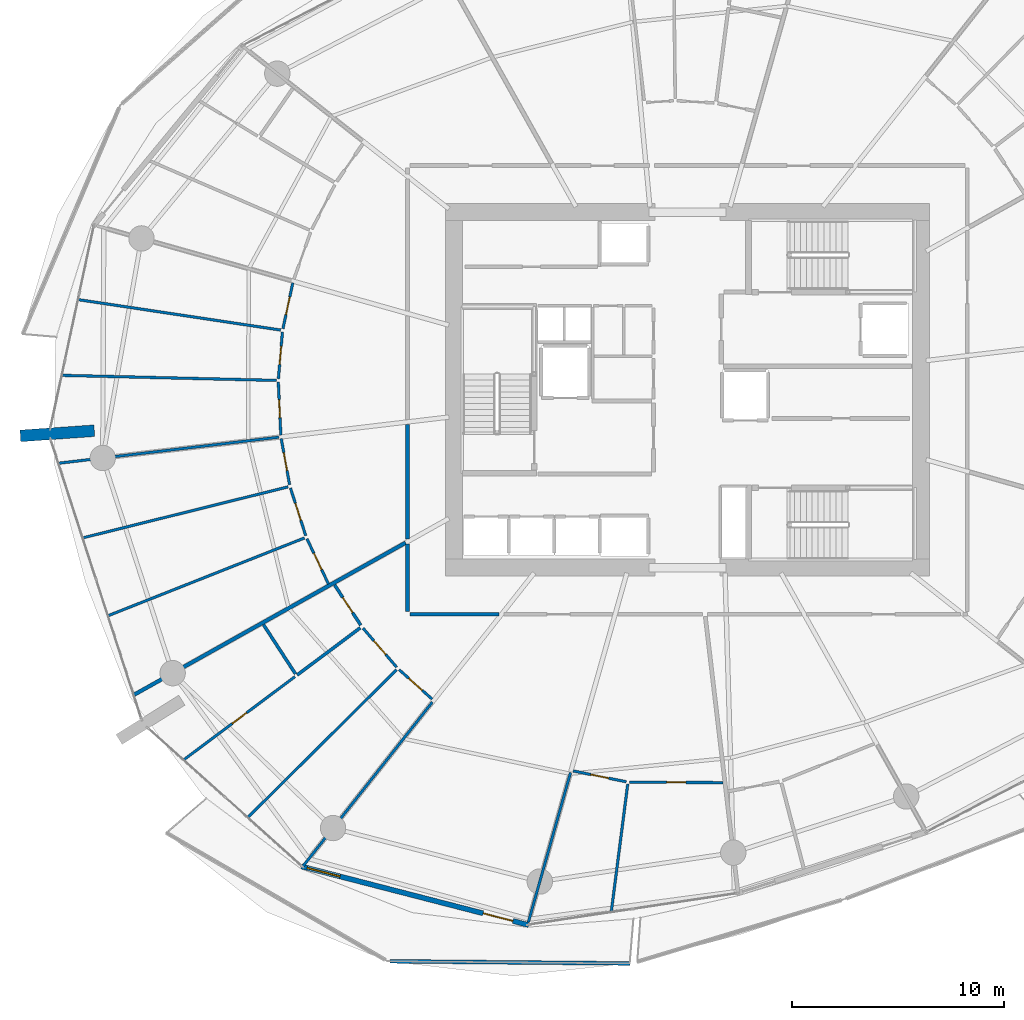
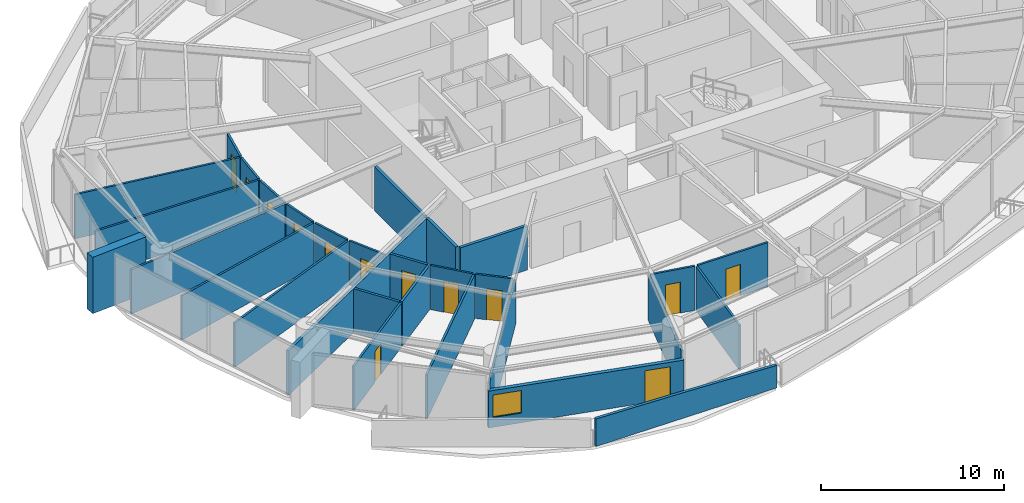
# One storey, part 11 of 23: 30 walls, 13 doors, 1 window, 14 openings.
"""IFC4 building model written with IfcOpenShell, lengths in metres."""

from ifc_helpers import new_model, si_unit, direction, frame, frame_2d, origin, place, context, subcontext, project, spatial, polyline, rectangle, outline, extrude, material, layer, layer_set, type_object, element, fill, save


model = new_model("IFC4")

# Units and contexts
model_context = context("Model", 3, precision=1e-05, world=origin(), true_north=direction((0.0, 1.0)))
body_context = subcontext(model_context, "Body", "Model", "MODEL_VIEW")
ifc_project = project(units=[si_unit("LENGTHUNIT", "METRE"), si_unit("AREAUNIT", "SQUARE_METRE"), si_unit("VOLUMEUNIT", "CUBIC_METRE"), si_unit("PLANEANGLEUNIT", "RADIAN"), si_unit("MASSUNIT", "GRAM", prefix="KILO")], contexts=[model_context])

# Site, building, storey
site_placement = place(None, origin())
site = spatial("IfcSite", under=ifc_project, at=site_placement, CompositionType="ELEMENT")
building_placement = place(site_placement, origin())
building = spatial("IfcBuilding", under=site, at=building_placement, Name="Kazma Halo Residences", CompositionType="ELEMENT")
storey_placement = place(building_placement, frame((0.0, 0.0, 86.39990234375)))
storey = spatial("IfcBuildingStorey", under=building, at=storey_placement, Name="L21", CompositionType="ELEMENT", Elevation=86.39990234375)

# Walls
ifc_material_1 = material(Name="White Concrete C50/60 Balustrade", Category="concrete")
ifc_layer_1 = layer(ifc_material_1, 0.179931640625)
ifc_layer_set_1 = layer_set([ifc_layer_1], Name="White Concrete C50/60 Balustrade")
wall_type_1 = type_object("IfcWallType", Name="WL-BAL-WAVE-180", PredefinedType="PARAPET", material=ifc_layer_set_1)
wall_1_placement = place(storey_placement, frame((34.362548828125, 14.99853515625, 0.0), z_axis=(0.0, 0.0, 1.0), x_axis=(0.999958909473, -0.009065283509, 0.0)))
element("IfcWall", 1, at=wall_1_placement, inside=storey, type_object=wall_type_1, Name="L21 white wave balustrade wall SW.2", PredefinedType="PARAPET", context=body_context, shape_type="SweptSolid", body=[
    extrude(outline(polyline([(0.0, 0.0), (11.338134765625, 0.0), (11.338134765625, 1.4970703125), (5.669189453125, 1.696044921875), (0.0, 1.83203125), (0.0, 0.0)])), frame((0.0, 0.08984375, 0.0), z_axis=(0.0, -1.0, 0.0), x_axis=(1.0, 0.0, 0.0)), (0.0, 0.0, 1.0), 0.179931640625),
])
ifc_material_2 = material(Name="Pale Concrete C60/75", Category="concrete")
ifc_layer_2 = layer(ifc_material_2, 0.550048828125)
ifc_layer_set_2 = layer_set([ifc_layer_2], Name="Pale Concrete C60/75")
wall_type_2 = type_object("IfcWallType", Name="WL-BLADE-550", PredefinedType="SOLIDWALL", material=ifc_layer_set_2)
wall_2_placement = place(storey_placement, frame((20.393798828125, 40.069580078125, 0.0), z_axis=(0.0, 0.0, 1.0), x_axis=(-0.997564163539, -0.069754853754, 0.0)))
element("IfcWall", 2, at=wall_2_placement, inside=storey, type_object=wall_type_2, Name="L21 pale concrete structural blade fin wall BW-02", PredefinedType="SOLIDWALL", context=body_context, shape_type="SweptSolid", body=[
    extrude(rectangle(XDim=3.5, YDim=0.550048828125, at=frame_2d((1.75, 0.0))), origin(), (0.0, 0.0, 1.0), 3.75),
])
ifc_material_3 = material(Name="Acoustic Twin-Stud Gypsum")
ifc_layer_3 = layer(ifc_material_3, 0.179931640625)
ifc_layer_set_3 = layer_set([ifc_layer_3], Name="Acoustic Twin-Stud Gypsum")
wall_type_3 = type_object("IfcWallType", Name="WL-DEM-180", PredefinedType="PARTITIONING", material=ifc_layer_set_3)
wall_3_placement = place(storey_placement, frame((35.10400390625, 34.778076171875, 0.0), z_axis=(0.0, 0.0, 1.0), x_axis=(-0.872490437896, -0.488631185845, 0.0)))
element("IfcWall", 3, at=wall_3_placement, inside=storey, type_object=wall_type_3, Name="L21 apartment demising radial wall 08", PredefinedType="PARTITIONING", context=body_context, shape_type="SweptSolid", body=[
    extrude(rectangle(XDim=14.698974609375, YDim=0.179931640625, at=frame_2d((7.349609375, 0.0))), origin(), (0.0, 0.0, 1.0), 2.940185546875),
])
wall_4_placement = place(storey_placement, frame((35.199951171875, 40.364990234375, 0.0), z_axis=(0.0, 0.0, 1.0), x_axis=(0.0, -1.0, 0.0)))
element("IfcWall", 4, at=wall_4_placement, inside=storey, type_object=wall_type_3, Name="L21 Apartment 1 inner wall 7", PredefinedType="PARTITIONING", context=body_context, shape_type="SweptSolid", body=[
    extrude(rectangle(XDim=5.413330078125, YDim=0.179931640625, at=frame_2d((2.70654296875, 0.0))), origin(), (0.0, 0.0, 1.0), 2.940185546875),
])
wall_5_placement = place(storey_placement, frame((35.199951171875, 34.711669921875, 0.0), z_axis=(0.0, 0.0, 1.0), x_axis=(0.0, -1.0, 0.0)))
element("IfcWall", 5, at=wall_5_placement, inside=storey, type_object=wall_type_3, Name="L21 Apartment 2 inner wall 8", PredefinedType="PARTITIONING", context=body_context, shape_type="SweptSolid", body=[
    extrude(rectangle(XDim=3.191650390625, YDim=0.179931640625, at=frame_2d((1.595703125, 0.0))), origin(), (0.0, 0.0, 1.0), 2.940185546875),
])
wall_6_placement = place(storey_placement, frame((35.320068359375, 31.39990234375, 0.0), z_axis=(0.0, 0.0, 1.0), x_axis=(1.0, 0.0, 0.0)))
element("IfcWall", 6, at=wall_6_placement, inside=storey, type_object=wall_type_3, Name="L21 Apartment 2 inner wall 8", PredefinedType="PARTITIONING", context=body_context, shape_type="SweptSolid", body=[
    extrude(rectangle(XDim=4.20361328125, YDim=0.179931640625, at=frame_2d((2.101806640625, 0.0))), origin(), (0.0, 0.0, 1.0), 2.940185546875),
])

# Wall, openings, door, window
ifc_material_4 = material(Name="Insulated Pale-Metal Composite Wall")
ifc_layer_4 = layer(ifc_material_4, 0.239990234375)
ifc_layer_set_4 = layer_set([ifc_layer_4], Name="Insulated Pale-Metal Composite Wall")
wall_type_4 = type_object("IfcWallType", Name="WL-EXT-HOST-240", PredefinedType="SOLIDWALL", material=ifc_layer_set_4)
wall_7_placement = place(storey_placement, frame((30.18603515625, 19.47705078125, 0.0), z_axis=(0.0, 0.0, 1.0), x_axis=(0.968356180858, -0.249572248045, 0.0)))
wall_7 = element("IfcWall", 7, at=wall_7_placement, inside=storey, type_object=wall_type_4, Name="L21 exterior terrace-access wall B10", PredefinedType="SOLIDWALL", context=body_context, shape_type="SweptSolid", body=[
    extrude(rectangle(XDim=11.08447265625, YDim=0.239990234375, at=frame_2d((5.542236328125, 0.0))), origin(), (0.0, 0.0, 1.0), 2.4501953125),
])
opening_1_placement = place(wall_7_placement, frame((8.864501953125, 0.0, 0.0)))
opening_1 = element("IfcOpeningElement", 8, at=opening_1_placement, cuts=wall_7, Name="Opening DTR-1600", PredefinedType="OPENING", context=body_context, shape_type="SweptSolid", body=[
    extrude(rectangle(XDim=1.449951171875, YDim=2.14990234375, at=frame_2d((0.72509765625, 1.074951171875))), frame((0.0, 0.1298828125, 0.0), z_axis=(0.0, -1.0, 0.0), x_axis=(1.0, 0.0, 0.0)), (0.0, 0.0, 1.0), 0.260009765625),
])
opening_2_placement = place(wall_7_placement, frame((0.280029296875, 0.0, 0.64990234375)))
opening_2 = element("IfcOpeningElement", 9, at=opening_2_placement, cuts=wall_7, Name="Opening W-1800", PredefinedType="OPENING", context=body_context, shape_type="SweptSolid", body=[
    extrude(rectangle(XDim=1.60009765625, YDim=1.5, at=frame_2d((0.800048828125, 0.75))), frame((0.0, 0.1298828125, 0.0), z_axis=(0.0, -1.0, 0.0), x_axis=(1.0, 0.0, 0.0)), (0.0, 0.0, 1.0), 0.260009765625),
])
ifc_material_5 = material(Name="Aluminium AW-6063 T6 Double-Glazed Terrace Door", Category="aluminium")
door_type_1 = type_object("IfcDoorType", Name="DR-EXT-TERR-1600", OperationType="NOTDEFINED", PredefinedType="DOOR", material=ifc_material_5)
door_1_placement = place(opening_1_placement, origin())
door_1 = element("IfcDoor", 10, at=door_1_placement, inside=storey, type_object=door_type_1, Name="L21 B10 balcony terrace door", OperationType="DOUBLE_DOOR_SLIDING", OverallHeight=2.14990234375, OverallWidth=1.449951171875, PredefinedType="DOOR", context=body_context, shape_type="SweptSolid", body=[
    extrude(rectangle(XDim=1.449951171875, YDim=2.14990234375, at=frame_2d((0.72509765625, 1.074951171875))), frame((0.0, 0.02490234375, 0.0), z_axis=(0.0, -1.0, 0.0), x_axis=(1.0, 0.0, 0.0)), (0.0, 0.0, 1.0), 0.050048828125),
])
fill(opening_1, door_1)
ifc_material_6 = material(Name="Clear Triple-Silver Low-E Glass in Aluminium AW-6063 T6 Frame", Category="aluminium")
window_type = type_object("IfcWindowType", Name="WIN-RES-1800", PartitioningType="DOUBLE_PANEL_VERTICAL", PredefinedType="WINDOW", material=ifc_material_6)
window_placement = place(opening_2_placement, origin())
window = element("IfcWindow", 11, at=window_placement, inside=storey, type_object=window_type, Name="L21 B10 apartment window", OverallHeight=1.5, OverallWidth=1.60009765625, PartitioningType="SINGLE_PANEL", PredefinedType="WINDOW", context=body_context, shape_type="SweptSolid", body=[
    extrude(rectangle(XDim=1.60009765625, YDim=1.5, at=frame_2d((0.800048828125, 0.75))), frame((0.0, 0.030029296875, 0.0), z_axis=(0.0, -1.0, 0.0), x_axis=(1.0, 0.0, 0.0)), (0.0, 0.0, 1.0), 0.06005859375),
])
fill(opening_2, window)

# Walls
ifc_material_7 = material(Name="Gypsum Plasterboard Partition")
ifc_layer_5 = layer(ifc_material_7, 0.125)
ifc_layer_set_5 = layer_set([ifc_layer_5], Name="Gypsum Plasterboard Partition")
wall_type_5 = type_object("IfcWallType", Name="WL-PART-125", PredefinedType="PARTITIONING", material=ifc_layer_set_5)
wall_8_placement = place(storey_placement, frame((29.202392578125, 44.826171875, 0.0), z_axis=(0.0, 0.0, 1.0), x_axis=(-0.988887169825, 0.14866797017, 0.0)))
element("IfcWall", 12, at=wall_8_placement, inside=storey, type_object=wall_type_5, Name="L21 Apartment 1 bay wall 1 6", PredefinedType="PARTITIONING", context=body_context, shape_type="SweptSolid", body=[
    extrude(rectangle(XDim=9.659423828125, YDim=0.125, at=frame_2d((4.82958984375, 0.0))), origin(), (0.0, 0.0, 1.0), 2.940185546875),
])
wall_9_placement = place(storey_placement, frame((28.996337890625, 42.44775390625, 0.0), z_axis=(0.0, 0.0, 1.0), x_axis=(-0.999721967936, 0.023579372877, 0.0)))
element("IfcWall", 13, at=wall_9_placement, inside=storey, type_object=wall_type_5, Name="L21 Apartment 1 bay wall 2 6", PredefinedType="PARTITIONING", context=body_context, shape_type="SweptSolid", body=[
    extrude(rectangle(XDim=10.115966796875, YDim=0.125, at=frame_2d((5.05810546875, 0.0))), origin(), (0.0, 0.0, 1.0), 2.940185546875),
])

# Wall, opening, door
wall_10_placement = place(storey_placement, frame((29.7744140625, 47.05712890625, 0.0), z_axis=(0.0, 0.0, 1.0), x_axis=(-0.210439442073, -0.977606895035, 0.0)))
wall_10 = element("IfcWall", 14, at=wall_10_placement, inside=storey, type_object=wall_type_5, Name="L21 Apartment 1 Primary Bedroom hall wall", PredefinedType="PARTITIONING", context=body_context, shape_type="SweptSolid", body=[
    extrude(rectangle(XDim=2.2158203125, YDim=0.125, at=frame_2d((1.10791015625, 0.0))), origin(), (0.0, 0.0, 1.0), 2.940185546875),
])
opening_3_placement = place(wall_10_placement, frame((0.68310546875, 0.0, 0.0)))
opening_3 = element("IfcOpeningElement", 15, at=opening_3_placement, cuts=wall_10, Name="Opening DB-900", PredefinedType="OPENING", context=body_context, shape_type="SweptSolid", body=[
    extrude(rectangle(XDim=0.85009765625, YDim=2.06005859375, at=frame_2d((0.425048828125, 1.030029296875))), frame((0.0, 0.072509765625, 0.0), z_axis=(0.0, -1.0, 0.0), x_axis=(1.0, 0.0, 0.0)), (0.0, 0.0, 1.0), 0.14501953125),
])
ifc_material_8 = material(Name="Moisture-Sealed Timber Leaf", Category="wood")
door_type_2 = type_object("IfcDoorType", Name="DR-BTH-900", OperationType="NOTDEFINED", PredefinedType="DOOR", material=ifc_material_8)
door_2_placement = place(opening_3_placement, origin())
door_2 = element("IfcDoor", 16, at=door_2_placement, inside=storey, type_object=door_type_2, Name="L21 Apartment 1 Primary Bedroom door", OperationType="SINGLE_SWING_LEFT", OverallHeight=2.06005859375, OverallWidth=0.85009765625, PredefinedType="DOOR", context=body_context, shape_type="SweptSolid", body=[
    extrude(rectangle(XDim=0.85009765625, YDim=2.06005859375, at=frame_2d((0.425048828125, 1.030029296875))), frame((0.0, 0.02490234375, 0.0), z_axis=(0.0, -1.0, 0.0), x_axis=(1.0, 0.0, 0.0)), (0.0, 0.0, 1.0), 0.050048828125),
])
fill(opening_3, door_2)

wall_11_placement = place(storey_placement, frame((29.284423828125, 44.73291015625, 0.0), z_axis=(0.0, 0.0, 1.0), x_axis=(-0.086273015931, -0.996271532627, 0.0)))
wall_11 = element("IfcWall", 17, at=wall_11_placement, inside=storey, type_object=wall_type_5, Name="L21 Apartment 1 Secondary Study hall wall", PredefinedType="PARTITIONING", context=body_context, shape_type="SweptSolid", body=[
    extrude(rectangle(XDim=2.2158203125, YDim=0.125, at=frame_2d((1.10791015625, 0.0))), origin(), (0.0, 0.0, 1.0), 2.940185546875),
])
opening_4_placement = place(wall_11_placement, frame((0.682861328125, 0.0, 0.0)))
opening_4 = element("IfcOpeningElement", 18, at=opening_4_placement, cuts=wall_11, Name="Opening DB-900", PredefinedType="OPENING", context=body_context, shape_type="SweptSolid", body=[
    extrude(rectangle(XDim=0.85009765625, YDim=2.06005859375, at=frame_2d((0.425048828125, 1.030029296875))), frame((0.0, 0.072509765625, 0.0), z_axis=(0.0, -1.0, 0.0), x_axis=(1.0, 0.0, 0.0)), (0.0, 0.0, 1.0), 0.14501953125),
])
door_3_placement = place(opening_4_placement, origin())
door_3 = element("IfcDoor", 19, at=door_3_placement, inside=storey, type_object=door_type_2, Name="L21 Apartment 1 Secondary Study door", OperationType="SINGLE_SWING_RIGHT", OverallHeight=2.06005859375, OverallWidth=0.85009765625, PredefinedType="DOOR", context=body_context, shape_type="SweptSolid", body=[
    extrude(rectangle(XDim=0.85009765625, YDim=2.06005859375, at=frame_2d((0.425048828125, 1.030029296875))), frame((0.0, 0.02490234375, 0.0), z_axis=(0.0, -1.0, 0.0), x_axis=(1.0, 0.0, 0.0)), (0.0, 0.0, 1.0), 0.050048828125),
])
fill(opening_4, door_3)

wall_12_placement = place(storey_placement, frame((29.090087890625, 42.36572265625, 0.0), z_axis=(0.0, 0.0, 1.0), x_axis=(0.047034181122, -0.998893280489, 0.0)))
wall_12 = element("IfcWall", 20, at=wall_12_placement, inside=storey, type_object=wall_type_5, Name="L21 Apartment 1 East Bedroom hall wall", PredefinedType="PARTITIONING", context=body_context, shape_type="SweptSolid", body=[
    extrude(rectangle(XDim=2.51220703125, YDim=0.125, at=frame_2d((1.256103515625, 0.0))), origin(), (0.0, 0.0, 1.0), 2.940185546875),
])
opening_5_placement = place(wall_12_placement, frame((0.831298828125, 0.0, 0.0)))
opening_5 = element("IfcOpeningElement", 21, at=opening_5_placement, cuts=wall_12, Name="Opening DB-900", PredefinedType="OPENING", context=body_context, shape_type="SweptSolid", body=[
    extrude(rectangle(XDim=0.85009765625, YDim=2.06005859375, at=frame_2d((0.425048828125, 1.030029296875))), frame((0.0, 0.072509765625, 0.0), z_axis=(0.0, -1.0, 0.0), x_axis=(1.0, 0.0, 0.0)), (0.0, 0.0, 1.0), 0.14501953125),
])
door_4_placement = place(opening_5_placement, origin())
door_4 = element("IfcDoor", 22, at=door_4_placement, inside=storey, type_object=door_type_2, Name="L21 Apartment 1 East Bedroom door", OperationType="SINGLE_SWING_LEFT", OverallHeight=2.06005859375, OverallWidth=0.85009765625, PredefinedType="DOOR", context=body_context, shape_type="SweptSolid", body=[
    extrude(rectangle(XDim=0.85009765625, YDim=2.06005859375, at=frame_2d((0.425048828125, 1.030029296875))), frame((0.0, 0.02490234375, 0.0), z_axis=(0.0, -1.0, 0.0), x_axis=(1.0, 0.0, 0.0)), (0.0, 0.0, 1.0), 0.050048828125),
])
fill(opening_5, door_4)

# Walls
wall_13_placement = place(storey_placement, frame((29.11279296875, 39.764404296875, 0.0), z_axis=(0.0, 0.0, 1.0), x_axis=(-0.993070875002, -0.117516965677, 0.0)))
element("IfcWall", 23, at=wall_13_placement, inside=storey, type_object=wall_type_5, Name="L21 Apartment 1 radial partition 7", PredefinedType="PARTITIONING", context=body_context, shape_type="SweptSolid", body=[
    extrude(rectangle(XDim=10.460205078125, YDim=0.125, at=frame_2d((5.22998046875, 0.0))), origin(), (0.0, 0.0, 1.0), 2.940185546875),
])
wall_14_placement = place(storey_placement, frame((29.5517578125, 37.41748046875, 0.0), z_axis=(0.0, 0.0, 1.0), x_axis=(-0.970504192203, -0.241084244437, 0.0)))
element("IfcWall", 24, at=wall_14_placement, inside=storey, type_object=wall_type_5, Name="L21 Apartment 1 bay wall 1 7", PredefinedType="PARTITIONING", context=body_context, shape_type="SweptSolid", body=[
    extrude(rectangle(XDim=9.975830078125, YDim=0.125, at=frame_2d((4.98779296875, 0.0))), origin(), (0.0, 0.0, 1.0), 2.940185546875),
])
wall_15_placement = place(storey_placement, frame((30.325927734375, 35.00244140625, 0.0), z_axis=(0.0, 0.0, 1.0), x_axis=(-0.929777602375, -0.368121732748, 0.0)))
element("IfcWall", 25, at=wall_15_placement, inside=storey, type_object=wall_type_5, Name="L21 Apartment 1 bay wall 2 7", PredefinedType="PARTITIONING", context=body_context, shape_type="SweptSolid", body=[
    extrude(rectangle(XDim=9.960693359375, YDim=0.125, at=frame_2d((4.98046875, 0.0))), origin(), (0.0, 0.0, 1.0), 2.940185546875),
])

# Wall, opening, door
wall_16_placement = place(storey_placement, frame((29.2265625, 39.697509765625, 0.0), z_axis=(0.0, 0.0, 1.0), x_axis=(0.179602920825, -0.983739188419, 0.0)))
wall_16 = element("IfcWall", 26, at=wall_16_placement, inside=storey, type_object=wall_type_5, Name="L21 Apartment 1 West Bedroom hall wall", PredefinedType="PARTITIONING", context=body_context, shape_type="SweptSolid", body=[
    extrude(rectangle(XDim=2.2158203125, YDim=0.125, at=frame_2d((1.10791015625, 0.0))), origin(), (0.0, 0.0, 1.0), 2.940185546875),
])
opening_6_placement = place(wall_16_placement, frame((0.682861328125, 0.0, 0.0)))
opening_6 = element("IfcOpeningElement", 27, at=opening_6_placement, cuts=wall_16, Name="Opening DB-900", PredefinedType="OPENING", context=body_context, shape_type="SweptSolid", body=[
    extrude(rectangle(XDim=0.85009765625, YDim=2.06005859375, at=frame_2d((0.425048828125, 1.030029296875))), frame((0.0, 0.072509765625, 0.0), z_axis=(0.0, -1.0, 0.0), x_axis=(1.0, 0.0, 0.0)), (0.0, 0.0, 1.0), 0.14501953125),
])
door_5_placement = place(opening_6_placement, origin())
door_5 = element("IfcDoor", 28, at=door_5_placement, inside=storey, type_object=door_type_2, Name="L21 Apartment 1 West Bedroom door", OperationType="SINGLE_SWING_RIGHT", OverallHeight=2.06005859375, OverallWidth=0.85009765625, PredefinedType="DOOR", context=body_context, shape_type="SweptSolid", body=[
    extrude(rectangle(XDim=0.85009765625, YDim=2.06005859375, at=frame_2d((0.425048828125, 1.030029296875))), frame((0.0, 0.02490234375, 0.0), z_axis=(0.0, -1.0, 0.0), x_axis=(1.0, 0.0, 0.0)), (0.0, 0.0, 1.0), 0.050048828125),
])
fill(opening_6, door_5)

wall_17_placement = place(storey_placement, frame((29.663330078125, 37.36279296875, 0.0), z_axis=(0.0, 0.0, 1.0), x_axis=(0.305393983716, -0.952226083822, 0.0)))
wall_17 = element("IfcWall", 29, at=wall_17_placement, inside=storey, type_object=wall_type_5, Name="L21 Apartment 1 North Study hall wall", PredefinedType="PARTITIONING", context=body_context, shape_type="SweptSolid", body=[
    extrude(rectangle(XDim=2.364013671875, YDim=0.125, at=frame_2d((1.18212890625, 0.0))), origin(), (0.0, 0.0, 1.0), 2.940185546875),
])
opening_7_placement = place(wall_17_placement, frame((0.757080078125, 0.0, 0.0)))
opening_7 = element("IfcOpeningElement", 30, at=opening_7_placement, cuts=wall_17, Name="Opening DB-900", PredefinedType="OPENING", context=body_context, shape_type="SweptSolid", body=[
    extrude(rectangle(XDim=0.85009765625, YDim=2.06005859375, at=frame_2d((0.425048828125, 1.030029296875))), frame((0.0, 0.072509765625, 0.0), z_axis=(0.0, -1.0, 0.0), x_axis=(1.0, 0.0, 0.0)), (0.0, 0.0, 1.0), 0.14501953125),
])
door_6_placement = place(opening_7_placement, origin())
door_6 = element("IfcDoor", 31, at=door_6_placement, inside=storey, type_object=door_type_2, Name="L21 Apartment 1 North Study door", OperationType="SINGLE_SWING_LEFT", OverallHeight=2.06005859375, OverallWidth=0.85009765625, PredefinedType="DOOR", context=body_context, shape_type="SweptSolid", body=[
    extrude(rectangle(XDim=0.85009765625, YDim=2.06005859375, at=frame_2d((0.425048828125, 1.030029296875))), frame((0.0, 0.02490234375, 0.0), z_axis=(0.0, -1.0, 0.0), x_axis=(1.0, 0.0, 0.0)), (0.0, 0.0, 1.0), 0.050048828125),
])
fill(opening_7, door_6)

wall_18_placement = place(storey_placement, frame((30.44384765625, 34.963134765625, 0.0), z_axis=(0.0, 0.0, 1.0), x_axis=(0.429404357622, -0.903112339443, 0.0)))
wall_18 = element("IfcWall", 32, at=wall_18_placement, inside=storey, type_object=wall_type_5, Name="L21 Apartment 1 South Bedroom hall wall", PredefinedType="PARTITIONING", context=body_context, shape_type="SweptSolid", body=[
    extrude(rectangle(XDim=2.364013671875, YDim=0.125, at=frame_2d((1.18212890625, 0.0))), origin(), (0.0, 0.0, 1.0), 2.940185546875),
])
opening_8_placement = place(wall_18_placement, frame((0.757080078125, 0.0, 0.0)))
opening_8 = element("IfcOpeningElement", 33, at=opening_8_placement, cuts=wall_18, Name="Opening DB-900", PredefinedType="OPENING", context=body_context, shape_type="SweptSolid", body=[
    extrude(rectangle(XDim=0.85009765625, YDim=2.06005859375, at=frame_2d((0.425048828125, 1.030029296875))), frame((0.0, 0.072509765625, 0.0), z_axis=(0.0, -1.0, 0.0), x_axis=(1.0, 0.0, 0.0)), (0.0, 0.0, 1.0), 0.14501953125),
])
door_7_placement = place(opening_8_placement, origin())
door_7 = element("IfcDoor", 34, at=door_7_placement, inside=storey, type_object=door_type_2, Name="L21 Apartment 1 South Bedroom door", OperationType="SINGLE_SWING_RIGHT", OverallHeight=2.06005859375, OverallWidth=0.85009765625, PredefinedType="DOOR", context=body_context, shape_type="SweptSolid", body=[
    extrude(rectangle(XDim=0.85009765625, YDim=2.06005859375, at=frame_2d((0.425048828125, 1.030029296875))), frame((0.0, 0.02490234375, 0.0), z_axis=(0.0, -1.0, 0.0), x_axis=(1.0, 0.0, 0.0)), (0.0, 0.0, 1.0), 0.050048828125),
])
fill(opening_8, door_7)

# Wall
wall_19_placement = place(storey_placement, frame((36.367919921875, 27.24462890625, 0.0), z_axis=(0.0, 0.0, 1.0), x_axis=(-0.619096231027, -0.785315132115, 0.0)))
element("IfcWall", 35, at=wall_19_placement, inside=storey, type_object=wall_type_5, Name="L21 Apartment 2 living radial partition 8", PredefinedType="PARTITIONING", context=body_context, shape_type="SweptSolid", body=[
    extrude(rectangle(XDim=9.882080078125, YDim=0.125, at=frame_2d((4.94091796875, 0.0))), origin(), (0.0, 0.0, 1.0), 2.940185546875),
])

# Wall, opening, door
wall_20_placement = place(storey_placement, frame((29.877197265625, 28.448486328125, 0.0), z_axis=(0.0, 0.0, 1.0), x_axis=(-0.800862229892, -0.598848635911, 0.0)))
wall_20 = element("IfcWall", 36, at=wall_20_placement, inside=storey, type_object=wall_type_5, Name="L21 Apartment 2 Household Store Room partition wall", PredefinedType="PARTITIONING", context=body_context, shape_type="SweptSolid", body=[
    extrude(rectangle(XDim=6.551513671875, YDim=0.125, at=frame_2d((3.27587890625, 0.0))), origin(), (0.0, 0.0, 1.0), 2.940185546875),
])
opening_9_placement = place(wall_20_placement, frame((2.850830078125, 0.0, 0.0)))
opening_9 = element("IfcOpeningElement", 37, at=opening_9_placement, cuts=wall_20, Name="Opening DB-900", PredefinedType="OPENING", context=body_context, shape_type="SweptSolid", body=[
    extrude(rectangle(XDim=0.85009765625, YDim=2.06005859375, at=frame_2d((0.425048828125, 1.030029296875))), frame((0.0, 0.072509765625, 0.0), z_axis=(0.0, -1.0, 0.0), x_axis=(1.0, 0.0, 0.0)), (0.0, 0.0, 1.0), 0.14501953125),
])
door_8_placement = place(opening_9_placement, origin())
door_8 = element("IfcDoor", 38, at=door_8_placement, inside=storey, type_object=door_type_2, Name="L21 Apartment 2 Household Store Room door", OperationType="SINGLE_SWING_LEFT", OverallHeight=2.06005859375, OverallWidth=0.85009765625, PredefinedType="DOOR", context=body_context, shape_type="SweptSolid", body=[
    extrude(rectangle(XDim=0.85009765625, YDim=2.06005859375, at=frame_2d((0.425048828125, 1.030029296875))), frame((0.0, 0.02490234375, 0.0), z_axis=(0.0, -1.0, 0.0), x_axis=(1.0, 0.0, 0.0)), (0.0, 0.0, 1.0), 0.050048828125),
])
fill(opening_9, door_8)

# Wall
wall_21_placement = place(storey_placement, frame((34.673095703125, 28.769287109375, 0.0), z_axis=(0.0, 0.0, 1.0), x_axis=(-0.709671596246, -0.70453262911, 0.0)))
element("IfcWall", 39, at=wall_21_placement, inside=storey, type_object=wall_type_5, Name="L21 Apartment 2 suite divider 8", PredefinedType="PARTITIONING", context=body_context, shape_type="SweptSolid", body=[
    extrude(rectangle(XDim=9.881591796875, YDim=0.125, at=frame_2d((4.94091796875, 0.0))), origin(), (0.0, 0.0, 1.0), 2.940185546875),
])

# Wall, opening, door
wall_22_placement = place(storey_placement, frame((33.091552734375, 30.739990234375, 0.0), z_axis=(0.0, 0.0, 1.0), x_axis=(0.653244508484, -0.757147021479, 0.0)))
wall_22 = element("IfcWall", 40, at=wall_22_placement, inside=storey, type_object=wall_type_5, Name="L21 Apartment 2 Gourmet Kitchen hall wall", PredefinedType="PARTITIONING", context=body_context, shape_type="SweptSolid", body=[
    extrude(rectangle(XDim=2.43896484375, YDim=0.125, at=frame_2d((1.219482421875, 0.0))), origin(), (0.0, 0.0, 1.0), 2.940185546875),
])
opening_10_placement = place(wall_22_placement, frame((0.79443359375, 0.0, 0.0)))
opening_10 = element("IfcOpeningElement", 41, at=opening_10_placement, cuts=wall_22, Name="Opening DB-900", PredefinedType="OPENING", context=body_context, shape_type="SweptSolid", body=[
    extrude(rectangle(XDim=0.85009765625, YDim=2.06005859375, at=frame_2d((0.425048828125, 1.030029296875))), frame((0.0, 0.072509765625, 0.0), z_axis=(0.0, -1.0, 0.0), x_axis=(1.0, 0.0, 0.0)), (0.0, 0.0, 1.0), 0.14501953125),
])
door_9_placement = place(opening_10_placement, origin())
door_9 = element("IfcDoor", 42, at=door_9_placement, inside=storey, type_object=door_type_2, Name="L21 Apartment 2 Gourmet Kitchen door", OperationType="SINGLE_SWING_RIGHT", OverallHeight=2.06005859375, OverallWidth=0.85009765625, PredefinedType="DOOR", context=body_context, shape_type="SweptSolid", body=[
    extrude(rectangle(XDim=0.85009765625, YDim=2.06005859375, at=frame_2d((0.425048828125, 1.030029296875))), frame((0.0, 0.02490234375, 0.0), z_axis=(0.0, -1.0, 0.0), x_axis=(1.0, 0.0, 0.0)), (0.0, 0.0, 1.0), 0.050048828125),
])
fill(opening_10, door_9)

wall_23_placement = place(storey_placement, frame((34.796875, 28.779541015625, 0.0), z_axis=(0.0, 0.0, 1.0), x_axis=(0.74635037564, -0.665553241132, 0.0)))
wall_23 = element("IfcWall", 43, at=wall_23_placement, inside=storey, type_object=wall_type_5, Name="L21 Apartment 2 Primary Bedroom hall wall", PredefinedType="PARTITIONING", context=body_context, shape_type="SweptSolid", body=[
    extrude(rectangle(XDim=2.087890625, YDim=0.125, at=frame_2d((1.0439453125, 0.0))), origin(), (0.0, 0.0, 1.0), 2.940185546875),
])
opening_11_placement = place(wall_23_placement, frame((0.618896484375, 0.0, 0.0)))
opening_11 = element("IfcOpeningElement", 44, at=opening_11_placement, cuts=wall_23, Name="Opening DB-900", PredefinedType="OPENING", context=body_context, shape_type="SweptSolid", body=[
    extrude(rectangle(XDim=0.85009765625, YDim=2.06005859375, at=frame_2d((0.425048828125, 1.030029296875))), frame((0.0, 0.072509765625, 0.0), z_axis=(0.0, -1.0, 0.0), x_axis=(1.0, 0.0, 0.0)), (0.0, 0.0, 1.0), 0.14501953125),
])
door_10_placement = place(opening_11_placement, origin())
door_10 = element("IfcDoor", 45, at=door_10_placement, inside=storey, type_object=door_type_2, Name="L21 Apartment 2 Primary Bedroom door", OperationType="SINGLE_SWING_LEFT", OverallHeight=2.06005859375, OverallWidth=0.85009765625, PredefinedType="DOOR", context=body_context, shape_type="SweptSolid", body=[
    extrude(rectangle(XDim=0.85009765625, YDim=2.06005859375, at=frame_2d((0.425048828125, 1.030029296875))), frame((0.0, 0.02490234375, 0.0), z_axis=(0.0, -1.0, 0.0), x_axis=(1.0, 0.0, 0.0)), (0.0, 0.0, 1.0), 0.050048828125),
])
fill(opening_11, door_10)

# Walls
wall_24_placement = place(storey_placement, frame((42.89990234375, 23.91650390625, 0.0), z_axis=(0.0, 0.0, 1.0), x_axis=(-0.27145069635, -0.962452346587, 0.0)))
element("IfcWall", 46, at=wall_24_placement, inside=storey, type_object=wall_type_5, Name="L21 Apartment 2 radial partition 10", PredefinedType="PARTITIONING", context=body_context, shape_type="SweptSolid", body=[
    extrude(rectangle(XDim=7.348876953125, YDim=0.125, at=frame_2d((3.67431640625, 0.0))), origin(), (0.0, 0.0, 1.0), 2.940185546875),
])
wall_25_placement = place(storey_placement, frame((45.6025390625, 23.37451171875, 0.0), z_axis=(0.0, 0.0, 1.0), x_axis=(-0.127689849516, -0.991814147071, 0.0)))
element("IfcWall", 47, at=wall_25_placement, inside=storey, type_object=wall_type_5, Name="L21 Apartment 2 mid-bay wall 10", PredefinedType="PARTITIONING", context=body_context, shape_type="SweptSolid", body=[
    extrude(rectangle(XDim=6.08203125, YDim=0.125, at=frame_2d((3.041015625, 0.0))), origin(), (0.0, 0.0, 1.0), 2.940185546875),
])

# Wall, opening, door
wall_26_placement = place(storey_placement, frame((43.02490234375, 23.99267578125, 0.0), z_axis=(0.0, 0.0, 1.0), x_axis=(0.97978119615, -0.200072006215, 0.0)))
wall_26 = element("IfcWall", 48, at=wall_26_placement, inside=storey, type_object=wall_type_5, Name="L21 Apartment 2 East Bedroom hall wall", PredefinedType="PARTITIONING", context=body_context, shape_type="SweptSolid", body=[
    extrude(rectangle(XDim=2.5625, YDim=0.125, at=frame_2d((1.28125, 0.0))), origin(), (0.0, 0.0, 1.0), 2.940185546875),
])
opening_12_placement = place(wall_26_placement, frame((0.856201171875, 0.0, 0.0)))
opening_12 = element("IfcOpeningElement", 49, at=opening_12_placement, cuts=wall_26, Name="Opening DB-900", PredefinedType="OPENING", context=body_context, shape_type="SweptSolid", body=[
    extrude(rectangle(XDim=0.85009765625, YDim=2.06005859375, at=frame_2d((0.425048828125, 1.030029296875))), frame((0.0, 0.072509765625, 0.0), z_axis=(0.0, -1.0, 0.0), x_axis=(1.0, 0.0, 0.0)), (0.0, 0.0, 1.0), 0.14501953125),
])
door_11_placement = place(opening_12_placement, origin())
door_11 = element("IfcDoor", 50, at=door_11_placement, inside=storey, type_object=door_type_2, Name="L21 Apartment 2 East Bedroom door", OperationType="SINGLE_SWING_RIGHT", OverallHeight=2.06005859375, OverallWidth=0.85009765625, PredefinedType="DOOR", context=body_context, shape_type="SweptSolid", body=[
    extrude(rectangle(XDim=0.85009765625, YDim=2.06005859375, at=frame_2d((0.425048828125, 1.030029296875))), frame((0.0, 0.02490234375, 0.0), z_axis=(0.0, -1.0, 0.0), x_axis=(1.0, 0.0, 0.0)), (0.0, 0.0, 1.0), 0.050048828125),
])
fill(opening_12, door_11)

wall_27_placement = place(storey_placement, frame((45.694091796875, 23.46337890625, 0.0), z_axis=(0.0, 0.0, 1.0), x_axis=(0.999986986287, -0.005101691496, 0.0)))
wall_27 = element("IfcWall", 51, at=wall_27_placement, inside=storey, type_object=wall_type_5, Name="L21 Apartment 2 West Bedroom hall wall", PredefinedType="PARTITIONING", context=body_context, shape_type="SweptSolid", body=[
    extrude(rectangle(XDim=4.402587890625, YDim=0.125, at=frame_2d((2.201171875, 0.0))), origin(), (0.0, 0.0, 1.0), 2.940185546875),
])
opening_13_placement = place(wall_27_placement, frame((1.75146484375, 0.0, 0.0)))
opening_13 = element("IfcOpeningElement", 52, at=opening_13_placement, cuts=wall_27, Name="Opening DI-950", PredefinedType="OPENING", context=body_context, shape_type="SweptSolid", body=[
    extrude(rectangle(XDim=0.89990234375, YDim=2.080078125, at=frame_2d((0.449951171875, 1.0400390625))), frame((0.0, 0.072509765625, 0.0), z_axis=(0.0, -1.0, 0.0), x_axis=(1.0, 0.0, 0.0)), (0.0, 0.0, 1.0), 0.14501953125),
])
ifc_material_9 = material(Name="Timber Veneer Flush Leaf", Category="wood")
door_type_3 = type_object("IfcDoorType", Name="DR-INT-950", OperationType="NOTDEFINED", PredefinedType="DOOR", material=ifc_material_9)
door_12_placement = place(opening_13_placement, origin())
door_12 = element("IfcDoor", 53, at=door_12_placement, inside=storey, type_object=door_type_3, Name="L21 Apartment 2 West Bedroom door", OperationType="SINGLE_SWING_LEFT", OverallHeight=2.080078125, OverallWidth=0.89990234375, PredefinedType="DOOR", context=body_context, shape_type="SweptSolid", body=[
    extrude(rectangle(XDim=0.89990234375, YDim=2.080078125, at=frame_2d((0.449951171875, 1.0400390625))), frame((0.0, 0.02490234375, 0.0), z_axis=(0.0, -1.0, 0.0), x_axis=(1.0, 0.0, 0.0)), (0.0, 0.0, 1.0), 0.050048828125),
])
fill(opening_13, door_12)

ifc_material_10 = material(Name="Moisture-Resistant Gypsum")
ifc_layer_6 = layer(ifc_material_10, 0.14990234375)
ifc_layer_set_6 = layer_set([ifc_layer_6], Name="Moisture-Resistant Gypsum")
wall_type_6 = type_object("IfcWallType", Name="WL-WET-150", PredefinedType="PARTITIONING", material=ifc_layer_set_6)
wall_28_placement = place(storey_placement, frame((31.748291015625, 32.784423828125, 0.0), z_axis=(0.0, 0.0, 1.0), x_axis=(0.544920213423, -0.838487901524, 0.0)))
wall_28 = element("IfcWall", 54, at=wall_28_placement, inside=storey, type_object=wall_type_6, Name="L21 Apartment 2 Guest Bathroom hall wall", PredefinedType="PARTITIONING", context=body_context, shape_type="SweptSolid", body=[
    extrude(rectangle(XDim=2.26708984375, YDim=0.14990234375, at=frame_2d((1.133544921875, 0.0))), origin(), (0.0, 0.0, 1.0), 2.940185546875),
])
opening_14_placement = place(wall_28_placement, frame((0.70849609375, 0.0, 0.0)))
opening_14 = element("IfcOpeningElement", 55, at=opening_14_placement, cuts=wall_28, Name="Opening DB-900", PredefinedType="OPENING", context=body_context, shape_type="SweptSolid", body=[
    extrude(rectangle(XDim=0.85009765625, YDim=2.06005859375, at=frame_2d((0.425048828125, 1.030029296875))), frame((0.0, 0.0849609375, 0.0), z_axis=(0.0, -1.0, 0.0), x_axis=(1.0, 0.0, 0.0)), (0.0, 0.0, 1.0), 0.169921875),
])
door_13_placement = place(opening_14_placement, origin())
door_13 = element("IfcDoor", 56, at=door_13_placement, inside=storey, type_object=door_type_2, Name="L21 Apartment 2 Guest Bathroom door", OperationType="SINGLE_SWING_RIGHT", OverallHeight=2.06005859375, OverallWidth=0.85009765625, PredefinedType="DOOR", context=body_context, shape_type="SweptSolid", body=[
    extrude(rectangle(XDim=0.85009765625, YDim=2.06005859375, at=frame_2d((0.425048828125, 1.030029296875))), frame((0.0, 0.02490234375, 0.0), z_axis=(0.0, -1.0, 0.0), x_axis=(1.0, 0.0, 0.0)), (0.0, 0.0, 1.0), 0.050048828125),
])
fill(opening_14, door_13)

# Walls
wall_29_placement = place(storey_placement, frame((28.389404296875, 30.9033203125, 0.0), z_axis=(0.0, 0.0, 1.0), x_axis=(0.544849096032, -0.838534115318, 0.0)))
element("IfcWall", 57, at=wall_29_placement, inside=storey, type_object=wall_type_6, Name="L21 Apartment 2 Guest Bathroom back wall", PredefinedType="PARTITIONING", context=body_context, shape_type="SweptSolid", body=[
    extrude(rectangle(XDim=2.773193359375, YDim=0.14990234375, at=frame_2d((1.38671875, 0.0))), origin(), (0.0, 0.0, 1.0), 2.940185546875),
])
wall_30_placement = place(storey_placement, frame((32.960693359375, 30.754150390625, 0.0), z_axis=(0.0, 0.0, 1.0), x_axis=(-0.800889069655, -0.598812740435, 0.0)))
element("IfcWall", 58, at=wall_30_placement, inside=storey, type_object=wall_type_6, Name="L21 Apartment 2 Guest Bathroom side wall", PredefinedType="PARTITIONING", context=body_context, shape_type="SweptSolid", body=[
    extrude(rectangle(XDim=3.719970703125, YDim=0.14990234375, at=frame_2d((1.85986328125, 0.0))), origin(), (0.0, 0.0, 1.0), 2.940185546875),
])

save(model, "model.ifc")
